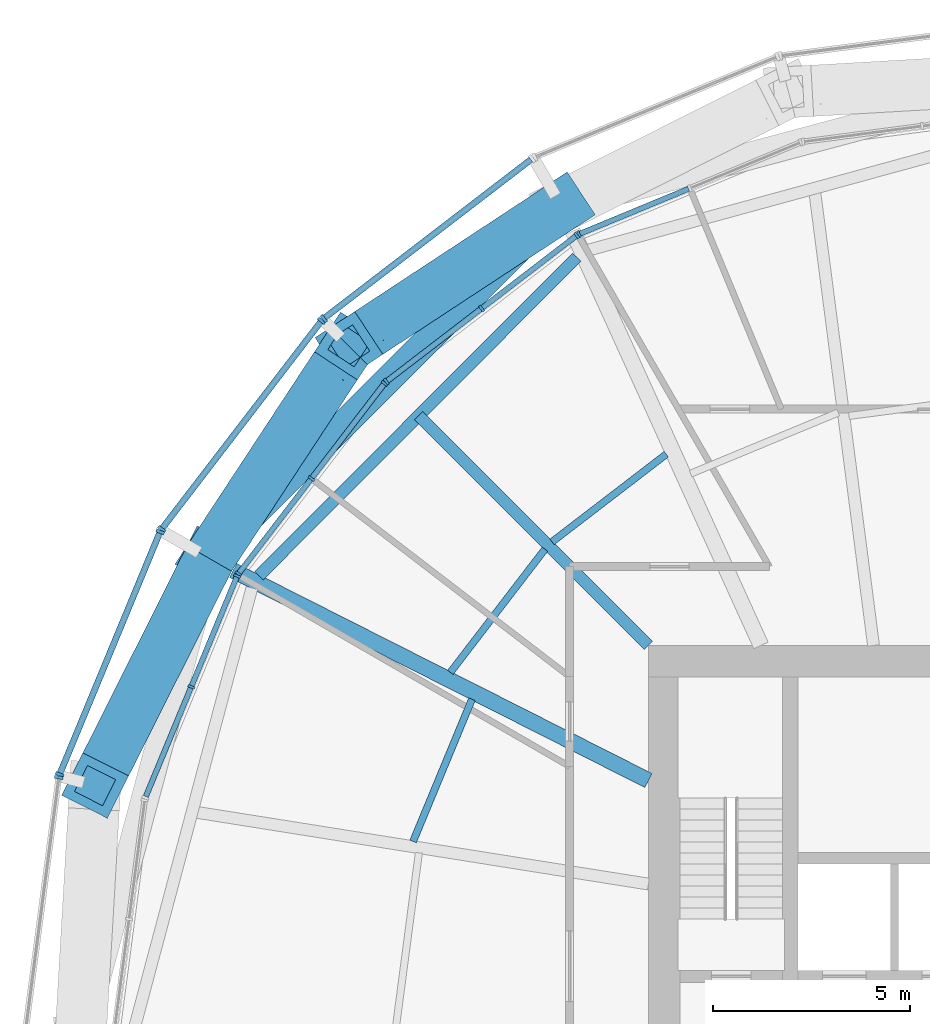
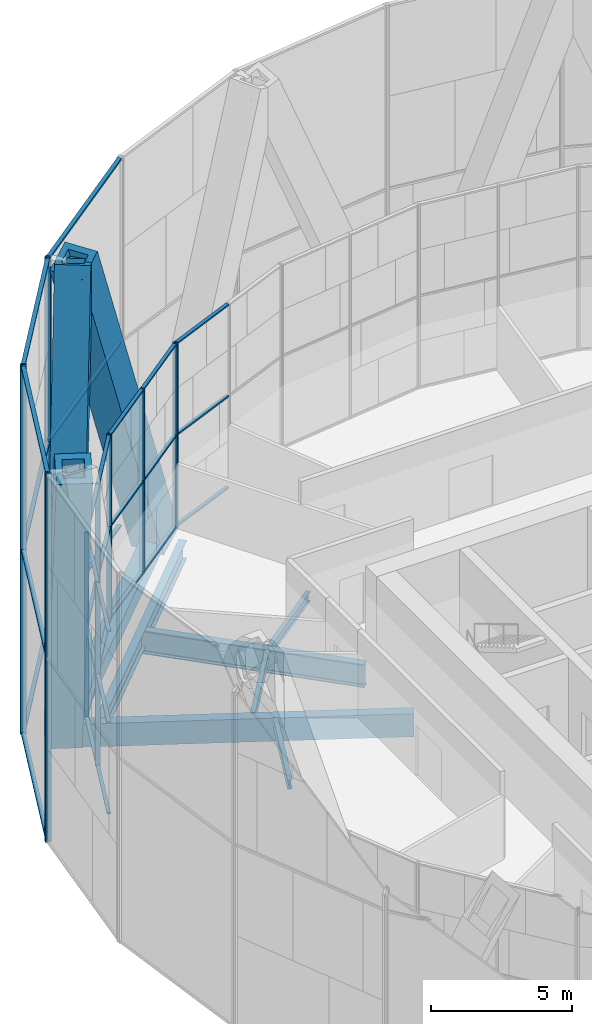
# One storey, part 6 of 22: 48 members, 7 beams, 8 elements without a shape of their own.
"""IFC4 building model written with IfcOpenShell, lengths in metres."""

from ifc_helpers import new_model, si_unit, direction, frame, origin, origin_2d, place, context, subcontext, project, spatial, rectangle, hollow_rectangle, i_section, extrude, material, material_profile, profile_set, type_object, element, aggregate, save


model = new_model("IFC4")

# Units and contexts
model_context = context("Model", 3, precision=1e-05, world=origin(), true_north=direction((0.0, 1.0)))
body_context = subcontext(model_context, "Body", "Model", "MODEL_VIEW")
ifc_project = project(units=[si_unit("LENGTHUNIT", "METRE"), si_unit("AREAUNIT", "SQUARE_METRE"), si_unit("VOLUMEUNIT", "CUBIC_METRE"), si_unit("PLANEANGLEUNIT", "RADIAN"), si_unit("MASSUNIT", "GRAM", prefix="KILO")], contexts=[model_context])

# Site, building, storey
site_placement = place(None, origin())
site = spatial("IfcSite", under=ifc_project, at=site_placement, CompositionType="ELEMENT")
building_placement = place(site_placement, origin())
building = spatial("IfcBuilding", under=site, at=building_placement, Name="Golbaran Civic Tower", CompositionType="ELEMENT")
storey_placement = place(building_placement, frame((0.0, 0.0, 53.0)))
storey = spatial("IfcBuildingStorey", under=building, at=storey_placement, Name="L12", CompositionType="ELEMENT", Elevation=53.0)

# Members
ifc_material_1 = material(Name="Steel S355", Category="steel")
ifc_material_profile_1 = material_profile(ifc_material_1, hollow_rectangle(XDim=1.300048828125, YDim=1.300048828125, WallThickness=0.25, at=origin_2d()), Name="BOX 1300x1300x250")
ifc_profile_set_1 = profile_set([ifc_material_profile_1], Name="Steel S355")
member_type_1 = type_object("IfcMemberType", Name="DIAGRID DIAGONAL BOX 1300x1300x250", PredefinedType="BRACE", material=ifc_profile_set_1)
for number, where, z_axis, x_axis, name in (
    (1, (-12.2080078125, 21.144775390625, -0.7099609375), (-0.312571904213, -0.205433100936, 0.927413632494), (0.549231486835, -0.835670254268, 0.0), "Diagonal D02-04R L12-L16"),
    (2, (-21.144775390625, 12.2080078125, -0.7099609375), (-0.167988782201, -0.334194514401, 0.927412419368), (0.893471758734, -0.449119378723, 0.0), "Diagonal D02-05R L12-L16"),
    (3, (-21.144775390625, 12.2080078125, -0.7099609375), (0.205433100936, 0.312571904213, 0.927413632494), (-0.835670254268, 0.549231486835, 0.0), "Diagonal D02-05L L12-L16"),
):
    element("IfcMember", number, at=place(storey_placement, frame(where, z_axis=z_axis, x_axis=x_axis)), inside=storey, type_object=member_type_1, Name=name, PredefinedType="BRACE", context=body_context, shape_type="SweptSolid", body=[
        extrude(hollow_rectangle(XDim=1.300048828125, YDim=1.300048828125, WallThickness=0.25, at=origin_2d()), origin(), (0.0, 0.0, 1.0), 17.252197265625),
    ])

# Beams
ifc_material_profile_2 = material_profile(ifc_material_1, hollow_rectangle(XDim=0.699951171875, YDim=0.699951171875, WallThickness=0.080078125, at=origin_2d()), Name="BOX 700x700x80")
ifc_profile_set_2 = profile_set([ifc_material_profile_2], Name="Steel S355")
beam_type_1 = type_object("IfcBeamType", Name="DIAGRID RING TIE BOX 700x700x80", PredefinedType="BEAM", material=ifc_profile_set_2)
beam_1_placement = place(storey_placement, frame((-12.2080078125, 21.144775390625, -0.7099609375), z_axis=(-0.707106781187, -0.707106781187, 0.0), x_axis=(0.707106781187, -0.707106781187, 0.0)))
element("IfcBeam", 4, at=beam_1_placement, inside=storey, type_object=beam_type_1, Name="Ring tie 120.00 L12", PredefinedType="BEAM", context=body_context, shape_type="SweptSolid", body=[
    extrude(hollow_rectangle(XDim=0.699951171875, YDim=0.699951171875, WallThickness=0.080078125, at=origin_2d()), origin(), (0.0, 0.0, 1.0), 12.638427734375),
])
ifc_material_profile_3 = material_profile(ifc_material_1, i_section(OverallWidth=0.300048828125, OverallDepth=0.800048828125, WebThickness=0.017578125, FlangeThickness=0.032958984375, FilletRadius=0.030029296875, at=origin_2d()), Name="HEB 800")
ifc_profile_set_3 = profile_set([ifc_material_profile_3], Name="Steel S355")
beam_type_2 = type_object("IfcBeamType", Name="EDGE BEAM HEB 800", PredefinedType="BEAM", material=ifc_profile_set_3)
beam_2_placement = place(storey_placement, frame((-11.81884765625, 19.853271484375, -0.60009765625), z_axis=(-0.706293695852, -0.707918932647, 0.0), x_axis=(0.707918932647, -0.706293695852, 0.0)))
element("IfcBeam", 5, at=beam_2_placement, inside=storey, type_object=beam_type_2, Name="Edge beam 120.00 L12", PredefinedType="BEAM", context=body_context, shape_type="SweptSolid", body=[
    extrude(i_section(OverallWidth=0.300048828125, OverallDepth=0.800048828125, WebThickness=0.017578125, FlangeThickness=0.032958984375, FilletRadius=0.030029296875, at=origin_2d()), origin(), (0.0, 0.0, 1.0), 11.41650390625),
])
ifc_material_profile_4 = material_profile(ifc_material_1, i_section(OverallWidth=0.179931640625, OverallDepth=0.39990234375, WebThickness=0.008544921875, FlangeThickness=0.013427734375, FilletRadius=0.02099609375, at=origin_2d()), Name="IPE 400")
ifc_profile_set_4 = profile_set([ifc_material_profile_4], Name="Steel S355")
beam_type_3 = type_object("IfcBeamType", Name="FLOOR INFILL BEAM IPE 400", PredefinedType="BEAM", material=ifc_profile_set_4)
beam_3_placement = place(storey_placement, frame((-9.546142578125, 14.853271484375, -0.39990234375), z_axis=(-0.79336110597, -0.608751308446, 0.0), x_axis=(0.608751308446, -0.79336110597, 0.0)))
element("IfcBeam", 6, at=beam_3_placement, inside=storey, type_object=beam_type_3, Name="Infill beam 127.50 L12", PredefinedType="BEAM", context=body_context, shape_type="SweptSolid", body=[
    extrude(i_section(OverallWidth=0.179931640625, OverallDepth=0.39990234375, WebThickness=0.008544921875, FlangeThickness=0.013427734375, FilletRadius=0.02099609375, at=origin_2d()), origin(), (0.0, 0.0, 1.0), 3.654052734375),
])
beam_4_placement = place(storey_placement, frame((-12.62646484375, 12.442626953125, -0.39990234375), z_axis=(-0.608743547424, -0.793367060993, 0.0), x_axis=(0.793367060993, -0.608743547424, 0.0)))
element("IfcBeam", 7, at=beam_4_placement, inside=storey, type_object=beam_type_3, Name="Infill beam 142.50 L12", PredefinedType="BEAM", context=body_context, shape_type="SweptSolid", body=[
    extrude(i_section(OverallWidth=0.179931640625, OverallDepth=0.39990234375, WebThickness=0.008544921875, FlangeThickness=0.013427734375, FilletRadius=0.02099609375, at=origin_2d()), origin(), (0.0, 0.0, 1.0), 3.94189453125),
])
beam_5_placement = place(storey_placement, frame((-14.477783203125, 8.63427734375, -0.39990234375), z_axis=(-0.382649693882, -0.923893506727, 0.0), x_axis=(0.923893506727, -0.382649693882, 0.0)))
element("IfcBeam", 8, at=beam_5_placement, inside=storey, type_object=beam_type_3, Name="Infill beam 157.50 L12", PredefinedType="BEAM", context=body_context, shape_type="SweptSolid", body=[
    extrude(i_section(OverallWidth=0.179931640625, OverallDepth=0.39990234375, WebThickness=0.008544921875, FlangeThickness=0.013427734375, FilletRadius=0.02099609375, at=origin_2d()), origin(), (0.0, 0.0, 1.0), 3.908447265625),
])

# Curtain wall, member
ifc_material_2 = material(Name="Aluminium and glass", Category="aluminium")
curtain_wall_type_1 = type_object("IfcCurtainWallType", Name="INNER SKIN CURTAIN WALL", PredefinedType="NOTDEFINED", material=ifc_material_2)
curtain_wall_1_placement = place(storey_placement, origin())
curtain_wall_1 = element("IfcCurtainWall", 9, at=curtain_wall_1_placement, inside=storey, type_object=curtain_wall_type_1, Name="Inner skin L12 facet 8 CW1", ObjectType="INNER SKIN", PredefinedType="USERDEFINED")
ifc_material_3 = material(Name="Aluminium", Category="aluminium")
ifc_material_profile_5 = material_profile(ifc_material_3, rectangle(XDim=0.179931640625, YDim=0.06494140625, at=origin_2d()), Name="INNER SKIN CURTAIN WALL MULLION")
ifc_profile_set_5 = profile_set([ifc_material_profile_5], Name="Aluminium")
member_type_2 = type_object("IfcMemberType", Name="INNER SKIN CURTAIN WALL MULLION", PredefinedType="MULLION", material=ifc_profile_set_5)
member_1_placement = place(storey_placement, frame((-11.762451171875, 20.437744140625, 0.0), z_axis=(0.0, 0.0, 1.0), x_axis=(0.382683432413, -0.923879532491, 0.0)))
member_1 = element("IfcMember", 10, at=member_1_placement, type_object=member_type_2, Name="CW1 mullion 3", PredefinedType="MULLION", context=body_context, shape_type="SweptSolid", body=[
    extrude(rectangle(XDim=0.179931640625, YDim=0.06494140625, at=origin_2d()), origin(), (0.0, 0.0, 1.0), 8.0),
])

# Curtain wall, members
curtain_wall_2_placement = place(storey_placement, origin())
curtain_wall_2 = element("IfcCurtainWall", 11, at=curtain_wall_2_placement, inside=storey, type_object=curtain_wall_type_1, Name="Inner skin L12 facet 9 CW1", ObjectType="INNER SKIN", PredefinedType="USERDEFINED")
member_2_placement = place(storey_placement, frame((-11.818359375, 20.405517578125, 0.0), z_axis=(0.0, 0.0, 1.0), x_axis=(0.608761429036, -0.79335334027, 0.0)))
member_2 = element("IfcMember", 12, at=member_2_placement, type_object=member_type_2, Name="CW1 mullion 1", PredefinedType="MULLION", context=body_context, shape_type="SweptSolid", body=[
    extrude(rectangle(XDim=0.179931640625, YDim=0.06494140625, at=origin_2d()), origin(), (0.0, 0.0, 1.0), 8.0),
])
member_3_placement = place(storey_placement, frame((-14.23486328125, 18.55126953125, 0.0), z_axis=(0.0, 0.0, 1.0), x_axis=(0.608761429036, -0.79335334027, 0.0)))
member_3 = element("IfcMember", 13, at=member_3_placement, type_object=member_type_2, Name="CW1 mullion 2", PredefinedType="MULLION", context=body_context, shape_type="SweptSolid", body=[
    extrude(rectangle(XDim=0.179931640625, YDim=0.06494140625, at=origin_2d()), origin(), (0.0, 0.0, 1.0), 8.0),
])
member_4_placement = place(storey_placement, frame((-16.6513671875, 16.69677734375, 0.0), z_axis=(0.0, 0.0, 1.0), x_axis=(0.608761429036, -0.79335334027, 0.0)))
member_4 = element("IfcMember", 14, at=member_4_placement, type_object=member_type_2, Name="CW1 mullion 3", PredefinedType="MULLION", context=body_context, shape_type="SweptSolid", body=[
    extrude(rectangle(XDim=0.179931640625, YDim=0.06494140625, at=origin_2d()), origin(), (0.0, 0.0, 1.0), 8.0),
])

curtain_wall_3_placement = place(storey_placement, origin())
curtain_wall_3 = element("IfcCurtainWall", 15, at=curtain_wall_3_placement, inside=storey, type_object=curtain_wall_type_1, Name="Inner skin L12 facet 10 CW1", ObjectType="INNER SKIN", PredefinedType="USERDEFINED")
member_5_placement = place(storey_placement, frame((-16.69677734375, 16.6513671875, 0.0), z_axis=(0.0, 0.0, 1.0), x_axis=(0.79335334027, -0.608761429036, 0.0)))
member_5 = element("IfcMember", 16, at=member_5_placement, type_object=member_type_2, Name="CW1 mullion 1", PredefinedType="MULLION", context=body_context, shape_type="SweptSolid", body=[
    extrude(rectangle(XDim=0.179931640625, YDim=0.06494140625, at=origin_2d()), origin(), (0.0, 0.0, 1.0), 8.0),
])
member_6_placement = place(storey_placement, frame((-18.55126953125, 14.23486328125, 0.0), z_axis=(0.0, 0.0, 1.0), x_axis=(0.79335334027, -0.608761429036, 0.0)))
member_6 = element("IfcMember", 17, at=member_6_placement, type_object=member_type_2, Name="CW1 mullion 2", PredefinedType="MULLION", context=body_context, shape_type="SweptSolid", body=[
    extrude(rectangle(XDim=0.179931640625, YDim=0.06494140625, at=origin_2d()), origin(), (0.0, 0.0, 1.0), 8.0),
])
member_7_placement = place(storey_placement, frame((-20.405517578125, 11.818359375, 0.0), z_axis=(0.0, 0.0, 1.0), x_axis=(0.79335334027, -0.608761429036, 0.0)))
member_7 = element("IfcMember", 18, at=member_7_placement, type_object=member_type_2, Name="CW1 mullion 3", PredefinedType="MULLION", context=body_context, shape_type="SweptSolid", body=[
    extrude(rectangle(XDim=0.179931640625, YDim=0.06494140625, at=origin_2d()), origin(), (0.0, 0.0, 1.0), 8.0),
])

curtain_wall_4_placement = place(storey_placement, origin())
curtain_wall_4 = element("IfcCurtainWall", 19, at=curtain_wall_4_placement, inside=storey, type_object=curtain_wall_type_1, Name="Inner skin L12 facet 11 CW1", ObjectType="INNER SKIN", PredefinedType="USERDEFINED")
member_8_placement = place(storey_placement, frame((-20.437744140625, 11.762451171875, 0.0), z_axis=(0.0, 0.0, 1.0), x_axis=(0.923879532491, -0.382683432413, 0.0)))
member_8 = element("IfcMember", 20, at=member_8_placement, type_object=member_type_2, Name="CW1 mullion 1", PredefinedType="MULLION", context=body_context, shape_type="SweptSolid", body=[
    extrude(rectangle(XDim=0.179931640625, YDim=0.06494140625, at=origin_2d()), origin(), (0.0, 0.0, 1.0), 8.0),
])
member_9_placement = place(storey_placement, frame((-21.603271484375, 8.948486328125, 0.0), z_axis=(0.0, 0.0, 1.0), x_axis=(0.923879532491, -0.382683432413, 0.0)))
member_9 = element("IfcMember", 21, at=member_9_placement, type_object=member_type_2, Name="CW1 mullion 2", PredefinedType="MULLION", context=body_context, shape_type="SweptSolid", body=[
    extrude(rectangle(XDim=0.179931640625, YDim=0.06494140625, at=origin_2d()), origin(), (0.0, 0.0, 1.0), 8.0),
])

# Member
ifc_material_profile_6 = material_profile(ifc_material_3, rectangle(XDim=0.139892578125, YDim=0.06494140625, at=origin_2d()), Name="INNER SKIN CURTAIN WALL TRANSOM")
ifc_profile_set_6 = profile_set([ifc_material_profile_6], Name="Aluminium")
member_type_3 = type_object("IfcMemberType", Name="INNER SKIN CURTAIN WALL TRANSOM", PredefinedType="USERDEFINED", material=ifc_profile_set_6)
member_10_placement = place(storey_placement, frame((-8.978515625, 21.5908203125, 0.032470703125), z_axis=(-0.923889058869, -0.382660432893, 0.0), x_axis=(0.382660432893, -0.923889058869, 0.0)))
member_10 = element("IfcMember", 22, at=member_10_placement, type_object=member_type_3, Name="CW1 transom 2.1", ObjectType="TRANSOM", PredefinedType="USERDEFINED", context=body_context, shape_type="SweptSolid", body=[
    extrude(rectangle(XDim=0.139892578125, YDim=0.06494140625, at=origin_2d()), origin(), (0.0, 0.0, 1.0), 2.980712890625),
])

member_11_placement = place(storey_placement, frame((-8.978515625, 21.5908203125, 4.0), z_axis=(-0.923889058869, -0.382660432893, 0.0), x_axis=(0.382660432893, -0.923889058869, 0.0)))
member_11 = element("IfcMember", 23, at=member_11_placement, type_object=member_type_3, Name="CW1 transom 2.2", ObjectType="TRANSOM", PredefinedType="USERDEFINED", context=body_context, shape_type="SweptSolid", body=[
    extrude(rectangle(XDim=0.139892578125, YDim=0.06494140625, at=origin_2d()), origin(), (0.0, 0.0, 1.0), 2.980712890625),
])

member_12_placement = place(storey_placement, frame((-8.978515625, 21.5908203125, 7.967529296875), z_axis=(-0.923889058869, -0.382660432893, 0.0), x_axis=(0.382660432893, -0.923889058869, 0.0)))
member_12 = element("IfcMember", 24, at=member_12_placement, type_object=member_type_3, Name="CW1 transom 2.3", ObjectType="TRANSOM", PredefinedType="USERDEFINED", context=body_context, shape_type="SweptSolid", body=[
    extrude(rectangle(XDim=0.139892578125, YDim=0.06494140625, at=origin_2d()), origin(), (0.0, 0.0, 1.0), 2.980712890625),
])

aggregate(curtain_wall_1, [member_1, member_10, member_11, member_12])

member_13_placement = place(storey_placement, frame((-11.843994140625, 20.3857421875, 0.032470703125), z_axis=(-0.793357158549, -0.608756452926, 0.0), x_axis=(0.608756452926, -0.793357158549, 0.0)))
member_13 = element("IfcMember", 25, at=member_13_placement, type_object=member_type_3, Name="CW1 transom 1.1", ObjectType="TRANSOM", PredefinedType="USERDEFINED", context=body_context, shape_type="SweptSolid", body=[
    extrude(rectangle(XDim=0.139892578125, YDim=0.06494140625, at=origin_2d()), origin(), (0.0, 0.0, 1.0), 2.98095703125),
])

member_14_placement = place(storey_placement, frame((-11.843994140625, 20.3857421875, 4.0), z_axis=(-0.793357158549, -0.608756452926, 0.0), x_axis=(0.608756452926, -0.793357158549, 0.0)))
member_14 = element("IfcMember", 26, at=member_14_placement, type_object=member_type_3, Name="CW1 transom 1.2", ObjectType="TRANSOM", PredefinedType="USERDEFINED", context=body_context, shape_type="SweptSolid", body=[
    extrude(rectangle(XDim=0.139892578125, YDim=0.06494140625, at=origin_2d()), origin(), (0.0, 0.0, 1.0), 2.98095703125),
])

member_15_placement = place(storey_placement, frame((-11.843994140625, 20.3857421875, 7.967529296875), z_axis=(-0.793357158549, -0.608756452926, 0.0), x_axis=(0.608756452926, -0.793357158549, 0.0)))
member_15 = element("IfcMember", 27, at=member_15_placement, type_object=member_type_3, Name="CW1 transom 1.3", ObjectType="TRANSOM", PredefinedType="USERDEFINED", context=body_context, shape_type="SweptSolid", body=[
    extrude(rectangle(XDim=0.139892578125, YDim=0.06494140625, at=origin_2d()), origin(), (0.0, 0.0, 1.0), 2.98095703125),
])

member_16_placement = place(storey_placement, frame((-14.260498046875, 18.531494140625, 0.032470703125), z_axis=(-0.793357158549, -0.608756452926, 0.0), x_axis=(0.608756452926, -0.793357158549, 0.0)))
member_16 = element("IfcMember", 28, at=member_16_placement, type_object=member_type_3, Name="CW1 transom 2.1", ObjectType="TRANSOM", PredefinedType="USERDEFINED", context=body_context, shape_type="SweptSolid", body=[
    extrude(rectangle(XDim=0.139892578125, YDim=0.06494140625, at=origin_2d()), origin(), (0.0, 0.0, 1.0), 2.98095703125),
])

member_17_placement = place(storey_placement, frame((-14.260498046875, 18.531494140625, 4.0), z_axis=(-0.793357158549, -0.608756452926, 0.0), x_axis=(0.608756452926, -0.793357158549, 0.0)))
member_17 = element("IfcMember", 29, at=member_17_placement, type_object=member_type_3, Name="CW1 transom 2.2", ObjectType="TRANSOM", PredefinedType="USERDEFINED", context=body_context, shape_type="SweptSolid", body=[
    extrude(rectangle(XDim=0.139892578125, YDim=0.06494140625, at=origin_2d()), origin(), (0.0, 0.0, 1.0), 2.98095703125),
])

member_18_placement = place(storey_placement, frame((-14.260498046875, 18.531494140625, 7.967529296875), z_axis=(-0.793357158549, -0.608756452926, 0.0), x_axis=(0.608756452926, -0.793357158549, 0.0)))
member_18 = element("IfcMember", 30, at=member_18_placement, type_object=member_type_3, Name="CW1 transom 2.3", ObjectType="TRANSOM", PredefinedType="USERDEFINED", context=body_context, shape_type="SweptSolid", body=[
    extrude(rectangle(XDim=0.139892578125, YDim=0.06494140625, at=origin_2d()), origin(), (0.0, 0.0, 1.0), 2.98095703125),
])

aggregate(curtain_wall_2, [member_2, member_3, member_4, member_13, member_14, member_15, member_16, member_17, member_18])

member_19_placement = place(storey_placement, frame((-16.716796875, 16.62548828125, 0.032470703125), z_axis=(-0.608756452926, -0.793357158549, 0.0), x_axis=(0.793357158549, -0.608756452926, 0.0)))
member_19 = element("IfcMember", 31, at=member_19_placement, type_object=member_type_3, Name="CW1 transom 1.1", ObjectType="TRANSOM", PredefinedType="USERDEFINED", context=body_context, shape_type="SweptSolid", body=[
    extrude(rectangle(XDim=0.139892578125, YDim=0.06494140625, at=origin_2d()), origin(), (0.0, 0.0, 1.0), 2.98095703125),
])

member_20_placement = place(storey_placement, frame((-16.716796875, 16.62548828125, 4.0), z_axis=(-0.608756452926, -0.793357158549, 0.0), x_axis=(0.793357158549, -0.608756452926, 0.0)))
member_20 = element("IfcMember", 32, at=member_20_placement, type_object=member_type_3, Name="CW1 transom 1.2", ObjectType="TRANSOM", PredefinedType="USERDEFINED", context=body_context, shape_type="SweptSolid", body=[
    extrude(rectangle(XDim=0.139892578125, YDim=0.06494140625, at=origin_2d()), origin(), (0.0, 0.0, 1.0), 2.98095703125),
])

member_21_placement = place(storey_placement, frame((-16.716796875, 16.62548828125, 7.967529296875), z_axis=(-0.608756452926, -0.793357158549, 0.0), x_axis=(0.793357158549, -0.608756452926, 0.0)))
member_21 = element("IfcMember", 33, at=member_21_placement, type_object=member_type_3, Name="CW1 transom 1.3", ObjectType="TRANSOM", PredefinedType="USERDEFINED", context=body_context, shape_type="SweptSolid", body=[
    extrude(rectangle(XDim=0.139892578125, YDim=0.06494140625, at=origin_2d()), origin(), (0.0, 0.0, 1.0), 2.98095703125),
])

member_22_placement = place(storey_placement, frame((-18.571044921875, 14.208984375, 0.032470703125), z_axis=(-0.608756452926, -0.793357158549, 0.0), x_axis=(0.793357158549, -0.608756452926, 0.0)))
member_22 = element("IfcMember", 34, at=member_22_placement, type_object=member_type_3, Name="CW1 transom 2.1", ObjectType="TRANSOM", PredefinedType="USERDEFINED", context=body_context, shape_type="SweptSolid", body=[
    extrude(rectangle(XDim=0.139892578125, YDim=0.06494140625, at=origin_2d()), origin(), (0.0, 0.0, 1.0), 2.98095703125),
])

member_23_placement = place(storey_placement, frame((-18.571044921875, 14.208984375, 4.0), z_axis=(-0.608756452926, -0.793357158549, 0.0), x_axis=(0.793357158549, -0.608756452926, 0.0)))
member_23 = element("IfcMember", 35, at=member_23_placement, type_object=member_type_3, Name="CW1 transom 2.2", ObjectType="TRANSOM", PredefinedType="USERDEFINED", context=body_context, shape_type="SweptSolid", body=[
    extrude(rectangle(XDim=0.139892578125, YDim=0.06494140625, at=origin_2d()), origin(), (0.0, 0.0, 1.0), 2.98095703125),
])

member_24_placement = place(storey_placement, frame((-18.571044921875, 14.208984375, 7.967529296875), z_axis=(-0.608756452926, -0.793357158549, 0.0), x_axis=(0.793357158549, -0.608756452926, 0.0)))
member_24 = element("IfcMember", 36, at=member_24_placement, type_object=member_type_3, Name="CW1 transom 2.3", ObjectType="TRANSOM", PredefinedType="USERDEFINED", context=body_context, shape_type="SweptSolid", body=[
    extrude(rectangle(XDim=0.139892578125, YDim=0.06494140625, at=origin_2d()), origin(), (0.0, 0.0, 1.0), 2.98095703125),
])

aggregate(curtain_wall_3, [member_5, member_6, member_7, member_19, member_20, member_21, member_22, member_23, member_24])

member_25_placement = place(storey_placement, frame((-20.4501953125, 11.732421875, 0.032470703125), z_axis=(-0.382660432893, -0.923889058869, 0.0), x_axis=(0.923889058869, -0.382660432893, 0.0)))
member_25 = element("IfcMember", 37, at=member_25_placement, type_object=member_type_3, Name="CW1 transom 1.1", ObjectType="TRANSOM", PredefinedType="USERDEFINED", context=body_context, shape_type="SweptSolid", body=[
    extrude(rectangle(XDim=0.139892578125, YDim=0.06494140625, at=origin_2d()), origin(), (0.0, 0.0, 1.0), 2.980712890625),
])

member_26_placement = place(storey_placement, frame((-20.4501953125, 11.732421875, 4.0), z_axis=(-0.382660432893, -0.923889058869, 0.0), x_axis=(0.923889058869, -0.382660432893, 0.0)))
member_26 = element("IfcMember", 38, at=member_26_placement, type_object=member_type_3, Name="CW1 transom 1.2", ObjectType="TRANSOM", PredefinedType="USERDEFINED", context=body_context, shape_type="SweptSolid", body=[
    extrude(rectangle(XDim=0.139892578125, YDim=0.06494140625, at=origin_2d()), origin(), (0.0, 0.0, 1.0), 2.980712890625),
])

member_27_placement = place(storey_placement, frame((-20.4501953125, 11.732421875, 7.967529296875), z_axis=(-0.382660432893, -0.923889058869, 0.0), x_axis=(0.923889058869, -0.382660432893, 0.0)))
member_27 = element("IfcMember", 39, at=member_27_placement, type_object=member_type_3, Name="CW1 transom 1.3", ObjectType="TRANSOM", PredefinedType="USERDEFINED", context=body_context, shape_type="SweptSolid", body=[
    extrude(rectangle(XDim=0.139892578125, YDim=0.06494140625, at=origin_2d()), origin(), (0.0, 0.0, 1.0), 2.980712890625),
])

member_28_placement = place(storey_placement, frame((-21.61572265625, 8.91845703125, 0.032470703125), z_axis=(-0.382701383548, -0.923872096684, 0.0), x_axis=(0.923872096684, -0.382701383548, 0.0)))
member_28 = element("IfcMember", 40, at=member_28_placement, type_object=member_type_3, Name="CW1 transom 2.1", ObjectType="TRANSOM", PredefinedType="USERDEFINED", context=body_context, shape_type="SweptSolid", body=[
    extrude(rectangle(XDim=0.139892578125, YDim=0.06494140625, at=origin_2d()), origin(), (0.0, 0.0, 1.0), 2.981201171875),
])

member_29_placement = place(storey_placement, frame((-21.61572265625, 8.91845703125, 4.0), z_axis=(-0.382701383548, -0.923872096684, 0.0), x_axis=(0.923872096684, -0.382701383548, 0.0)))
member_29 = element("IfcMember", 41, at=member_29_placement, type_object=member_type_3, Name="CW1 transom 2.2", ObjectType="TRANSOM", PredefinedType="USERDEFINED", context=body_context, shape_type="SweptSolid", body=[
    extrude(rectangle(XDim=0.139892578125, YDim=0.06494140625, at=origin_2d()), origin(), (0.0, 0.0, 1.0), 2.981201171875),
])

member_30_placement = place(storey_placement, frame((-21.61572265625, 8.91845703125, 7.967529296875), z_axis=(-0.382701383548, -0.923872096684, 0.0), x_axis=(0.923872096684, -0.382701383548, 0.0)))
member_30 = element("IfcMember", 42, at=member_30_placement, type_object=member_type_3, Name="CW1 transom 2.3", ObjectType="TRANSOM", PredefinedType="USERDEFINED", context=body_context, shape_type="SweptSolid", body=[
    extrude(rectangle(XDim=0.139892578125, YDim=0.06494140625, at=origin_2d()), origin(), (0.0, 0.0, 1.0), 2.981201171875),
])

aggregate(curtain_wall_4, [member_8, member_9, member_25, member_26, member_27, member_28, member_29, member_30])

# Curtain wall, member
curtain_wall_type_2 = type_object("IfcCurtainWallType", Name="OUTER SKIN TERRACOTTA SCREEN", PredefinedType="NOTDEFINED", material=ifc_material_2)
curtain_wall_5_placement = place(storey_placement, origin())
curtain_wall_5 = element("IfcCurtainWall", 43, at=curtain_wall_5_placement, inside=storey, type_object=curtain_wall_type_2, Name="Outer skin L12 facet 9 CW3", ObjectType="OUTER SKIN", PredefinedType="USERDEFINED")
ifc_material_profile_7 = material_profile(ifc_material_3, rectangle(XDim=0.219970703125, YDim=0.080078125, at=origin_2d()), Name="OUTER SKIN TERRACOTTA SCREEN MULLION")
ifc_profile_set_7 = profile_set([ifc_material_profile_7], Name="Aluminium")
member_type_4 = type_object("IfcMemberType", Name="OUTER SKIN TERRACOTTA SCREEN MULLION", PredefinedType="MULLION", material=ifc_profile_set_7)
member_31_placement = place(storey_placement, frame((-18.24072265625, 18.296630859375, -0.7099609375), z_axis=(0.0, 0.0, 1.0), x_axis=(0.608761428926, -0.793353340355, 0.0)))
member_31 = element("IfcMember", 44, at=member_31_placement, type_object=member_type_4, Name="CW3 mullion 2", PredefinedType="MULLION", context=body_context, shape_type="SweptSolid", body=[
    extrude(rectangle(XDim=0.219970703125, YDim=0.080078125, at=origin_2d()), origin(), (0.0, 0.0, 1.0), 16.0),
])

# Curtain wall, members
curtain_wall_6_placement = place(storey_placement, origin())
curtain_wall_6 = element("IfcCurtainWall", 45, at=curtain_wall_6_placement, inside=storey, type_object=curtain_wall_type_2, Name="Outer skin L12 facet 10 CW3", ObjectType="OUTER SKIN", PredefinedType="USERDEFINED")
member_32_placement = place(storey_placement, frame((-18.296630859375, 18.24072265625, -0.7099609375), z_axis=(0.0, 0.0, 1.0), x_axis=(0.793353340355, -0.608761428926, 0.0)))
member_32 = element("IfcMember", 46, at=member_32_placement, type_object=member_type_4, Name="CW3 mullion 1", PredefinedType="MULLION", context=body_context, shape_type="SweptSolid", body=[
    extrude(rectangle(XDim=0.219970703125, YDim=0.080078125, at=origin_2d()), origin(), (0.0, 0.0, 1.0), 16.0),
])
member_33_placement = place(storey_placement, frame((-22.3544921875, 12.9521484375, -0.7099609375), z_axis=(0.0, 0.0, 1.0), x_axis=(0.793353340355, -0.608761428926, 0.0)))
member_33 = element("IfcMember", 47, at=member_33_placement, type_object=member_type_4, Name="CW3 mullion 2", PredefinedType="MULLION", context=body_context, shape_type="SweptSolid", body=[
    extrude(rectangle(XDim=0.219970703125, YDim=0.080078125, at=origin_2d()), origin(), (0.0, 0.0, 1.0), 16.0),
])

curtain_wall_7_placement = place(storey_placement, origin())
curtain_wall_7 = element("IfcCurtainWall", 48, at=curtain_wall_7_placement, inside=storey, type_object=curtain_wall_type_2, Name="Outer skin L12 facet 11 CW3", ObjectType="OUTER SKIN", PredefinedType="USERDEFINED")
member_34_placement = place(storey_placement, frame((-22.394287109375, 12.883544921875, -0.7099609375), z_axis=(0.0, 0.0, 1.0), x_axis=(0.923879532518, -0.382683432349, 0.0)))
member_34 = element("IfcMember", 49, at=member_34_placement, type_object=member_type_4, Name="CW3 mullion 1", PredefinedType="MULLION", context=body_context, shape_type="SweptSolid", body=[
    extrude(rectangle(XDim=0.219970703125, YDim=0.080078125, at=origin_2d()), origin(), (0.0, 0.0, 1.0), 16.0),
])
member_35_placement = place(storey_placement, frame((-24.945068359375, 6.72509765625, -0.7099609375), z_axis=(0.0, 0.0, 1.0), x_axis=(0.923879532518, -0.382683432349, 0.0)))
member_35 = element("IfcMember", 50, at=member_35_placement, type_object=member_type_4, Name="CW3 mullion 2", PredefinedType="MULLION", context=body_context, shape_type="SweptSolid", body=[
    extrude(rectangle(XDim=0.219970703125, YDim=0.080078125, at=origin_2d()), origin(), (0.0, 0.0, 1.0), 16.0),
])

# Curtain wall, member
curtain_wall_8_placement = place(storey_placement, origin())
curtain_wall_8 = element("IfcCurtainWall", 51, at=curtain_wall_8_placement, inside=storey, type_object=curtain_wall_type_2, Name="Outer skin L12 facet 12 CW3", ObjectType="OUTER SKIN", PredefinedType="USERDEFINED")
member_36_placement = place(storey_placement, frame((-24.9658203125, 6.6484375, -0.7099609375), z_axis=(0.0, 0.0, 1.0), x_axis=(0.991444861369, -0.130526192255, 0.0)))
member_36 = element("IfcMember", 52, at=member_36_placement, type_object=member_type_4, Name="CW3 mullion 1", PredefinedType="MULLION", context=body_context, shape_type="SweptSolid", body=[
    extrude(rectangle(XDim=0.219970703125, YDim=0.080078125, at=origin_2d()), origin(), (0.0, 0.0, 1.0), 16.0),
])
aggregate(curtain_wall_8, [member_36])

# Member
ifc_material_profile_8 = material_profile(ifc_material_3, rectangle(XDim=0.159912109375, YDim=0.080078125, at=origin_2d()), Name="OUTER SKIN TERRACOTTA SCREEN TRANSOM")
ifc_profile_set_8 = profile_set([ifc_material_profile_8], Name="Aluminium")
member_type_5 = type_object("IfcMemberType", Name="OUTER SKIN TERRACOTTA SCREEN TRANSOM", PredefinedType="USERDEFINED", material=ifc_profile_set_8)
member_37_placement = place(storey_placement, frame((-12.98388671875, 22.330322265625, -0.669921875), z_axis=(-0.79335928762, -0.608753678221, 0.0), x_axis=(0.608753678221, -0.79335928762, 0.0)))
member_37 = element("IfcMember", 53, at=member_37_placement, type_object=member_type_5, Name="CW3 transom 1.1", ObjectType="TRANSOM", PredefinedType="USERDEFINED", context=body_context, shape_type="SweptSolid", body=[
    extrude(rectangle(XDim=0.159912109375, YDim=0.080078125, at=origin_2d()), origin(), (0.0, 0.0, 1.0), 6.5859375),
])

member_38_placement = place(storey_placement, frame((-12.98388671875, 22.330322265625, 7.2900390625), z_axis=(-0.79335928762, -0.608753678221, 0.0), x_axis=(0.608753678221, -0.79335928762, 0.0)))
member_38 = element("IfcMember", 54, at=member_38_placement, type_object=member_type_5, Name="CW3 transom 1.2", ObjectType="TRANSOM", PredefinedType="USERDEFINED", context=body_context, shape_type="SweptSolid", body=[
    extrude(rectangle(XDim=0.159912109375, YDim=0.080078125, at=origin_2d()), origin(), (0.0, 0.0, 1.0), 6.5859375),
])

member_39_placement = place(storey_placement, frame((-12.98388671875, 22.330322265625, 15.25), z_axis=(-0.79335928762, -0.608753678221, 0.0), x_axis=(0.608753678221, -0.79335928762, 0.0)))
member_39 = element("IfcMember", 55, at=member_39_placement, type_object=member_type_5, Name="CW3 transom 1.3", ObjectType="TRANSOM", PredefinedType="USERDEFINED", context=body_context, shape_type="SweptSolid", body=[
    extrude(rectangle(XDim=0.159912109375, YDim=0.080078125, at=origin_2d()), origin(), (0.0, 0.0, 1.0), 6.5859375),
])

aggregate(curtain_wall_5, [member_31, member_37, member_38, member_39])

member_40_placement = place(storey_placement, frame((-18.321044921875, 18.208984375, -0.669921875), z_axis=(-0.608753678221, -0.79335928762, 0.0), x_axis=(0.79335928762, -0.608753678221, 0.0)))
member_40 = element("IfcMember", 56, at=member_40_placement, type_object=member_type_5, Name="CW3 transom 1.1", ObjectType="TRANSOM", PredefinedType="USERDEFINED", context=body_context, shape_type="SweptSolid", body=[
    extrude(rectangle(XDim=0.159912109375, YDim=0.080078125, at=origin_2d()), origin(), (0.0, 0.0, 1.0), 6.5859375),
])

member_41_placement = place(storey_placement, frame((-18.321044921875, 18.208984375, 7.2900390625), z_axis=(-0.608753678221, -0.79335928762, 0.0), x_axis=(0.79335928762, -0.608753678221, 0.0)))
member_41 = element("IfcMember", 57, at=member_41_placement, type_object=member_type_5, Name="CW3 transom 1.2", ObjectType="TRANSOM", PredefinedType="USERDEFINED", context=body_context, shape_type="SweptSolid", body=[
    extrude(rectangle(XDim=0.159912109375, YDim=0.080078125, at=origin_2d()), origin(), (0.0, 0.0, 1.0), 6.5859375),
])

member_42_placement = place(storey_placement, frame((-18.321044921875, 18.208984375, 15.25), z_axis=(-0.608753678221, -0.79335928762, 0.0), x_axis=(0.79335928762, -0.608753678221, 0.0)))
member_42 = element("IfcMember", 58, at=member_42_placement, type_object=member_type_5, Name="CW3 transom 1.3", ObjectType="TRANSOM", PredefinedType="USERDEFINED", context=body_context, shape_type="SweptSolid", body=[
    extrude(rectangle(XDim=0.159912109375, YDim=0.080078125, at=origin_2d()), origin(), (0.0, 0.0, 1.0), 6.5859375),
])

aggregate(curtain_wall_6, [member_32, member_33, member_40, member_41, member_42])

member_43_placement = place(storey_placement, frame((-22.40966796875, 12.8466796875, -0.669921875), z_axis=(-0.382669364313, -0.923885359564, 0.0), x_axis=(0.923885359564, -0.382669364313, 0.0)))
member_43 = element("IfcMember", 59, at=member_43_placement, type_object=member_type_5, Name="CW3 transom 1.1", ObjectType="TRANSOM", PredefinedType="USERDEFINED", context=body_context, shape_type="SweptSolid", body=[
    extrude(rectangle(XDim=0.159912109375, YDim=0.080078125, at=origin_2d()), origin(), (0.0, 0.0, 1.0), 6.5859375),
])

member_44_placement = place(storey_placement, frame((-22.40966796875, 12.8466796875, 7.2900390625), z_axis=(-0.382669364313, -0.923885359564, 0.0), x_axis=(0.923885359564, -0.382669364313, 0.0)))
member_44 = element("IfcMember", 60, at=member_44_placement, type_object=member_type_5, Name="CW3 transom 1.2", ObjectType="TRANSOM", PredefinedType="USERDEFINED", context=body_context, shape_type="SweptSolid", body=[
    extrude(rectangle(XDim=0.159912109375, YDim=0.080078125, at=origin_2d()), origin(), (0.0, 0.0, 1.0), 6.5859375),
])

member_45_placement = place(storey_placement, frame((-22.40966796875, 12.8466796875, 15.25), z_axis=(-0.382669364313, -0.923885359564, 0.0), x_axis=(0.923885359564, -0.382669364313, 0.0)))
member_45 = element("IfcMember", 61, at=member_45_placement, type_object=member_type_5, Name="CW3 transom 1.3", ObjectType="TRANSOM", PredefinedType="USERDEFINED", context=body_context, shape_type="SweptSolid", body=[
    extrude(rectangle(XDim=0.159912109375, YDim=0.080078125, at=origin_2d()), origin(), (0.0, 0.0, 1.0), 6.5859375),
])

aggregate(curtain_wall_7, [member_34, member_35, member_43, member_44, member_45])

# Beams
ifc_material_profile_9 = material_profile(ifc_material_1, hollow_rectangle(XDim=0.39990234375, YDim=1.0, WallThickness=0.0400390625, at=origin_2d()), Name="BOX 1000x400x40")
ifc_profile_set_9 = profile_set([ifc_material_profile_9], Name="Steel S355")
beam_type_4 = type_object("IfcBeamType", Name="RADIAL FLOOR BEAM BOX 1000x400x40", PredefinedType="BEAM", material=ifc_profile_set_9)
beam_6_placement = place(storey_placement, frame((-10.0, 6.571533203125, -0.7099609375), z_axis=(-0.892363206425, 0.451317967533, 0.0), x_axis=(-0.451317967533, -0.892363206425, 0.0)))
element("IfcBeam", 62, at=beam_6_placement, inside=storey, type_object=beam_type_4, Name="Radial beam 150.00 L12", PredefinedType="BEAM", context=body_context, shape_type="SweptSolid", body=[
    extrude(hollow_rectangle(XDim=0.39990234375, YDim=1.0, WallThickness=0.0400390625, at=origin_2d()), origin(), (0.0, 0.0, 1.0), 11.811767578125),
])
ifc_material_profile_10 = material_profile(ifc_material_1, i_section(OverallWidth=0.300048828125, OverallDepth=1.0, WebThickness=0.01904296875, FlangeThickness=0.035888671875, FilletRadius=0.030029296875, at=origin_2d()), Name="HEB 1000")
ifc_profile_set_10 = profile_set([ifc_material_profile_10], Name="Steel S355")
beam_type_5 = type_object("IfcBeamType", Name="SECONDARY FLOOR BEAM HEB 1000", PredefinedType="BEAM", material=ifc_profile_set_10)
beam_7_placement = place(storey_placement, frame((-10.0, 10.0, -0.7099609375), z_axis=(-0.707106781187, 0.707106781187, 0.0), x_axis=(-0.707106781187, -0.707106781187, 0.0)))
element("IfcBeam", 63, at=beam_7_placement, inside=storey, type_object=beam_type_5, Name="Secondary beam 135.00 L12", PredefinedType="BEAM", context=body_context, shape_type="SweptSolid", body=[
    extrude(i_section(OverallWidth=0.300048828125, OverallDepth=1.0, WebThickness=0.01904296875, FlangeThickness=0.035888671875, FilletRadius=0.030029296875, at=origin_2d()), origin(), (0.0, 0.0, 1.0), 8.2470703125),
])

save(model, "model.ifc")
